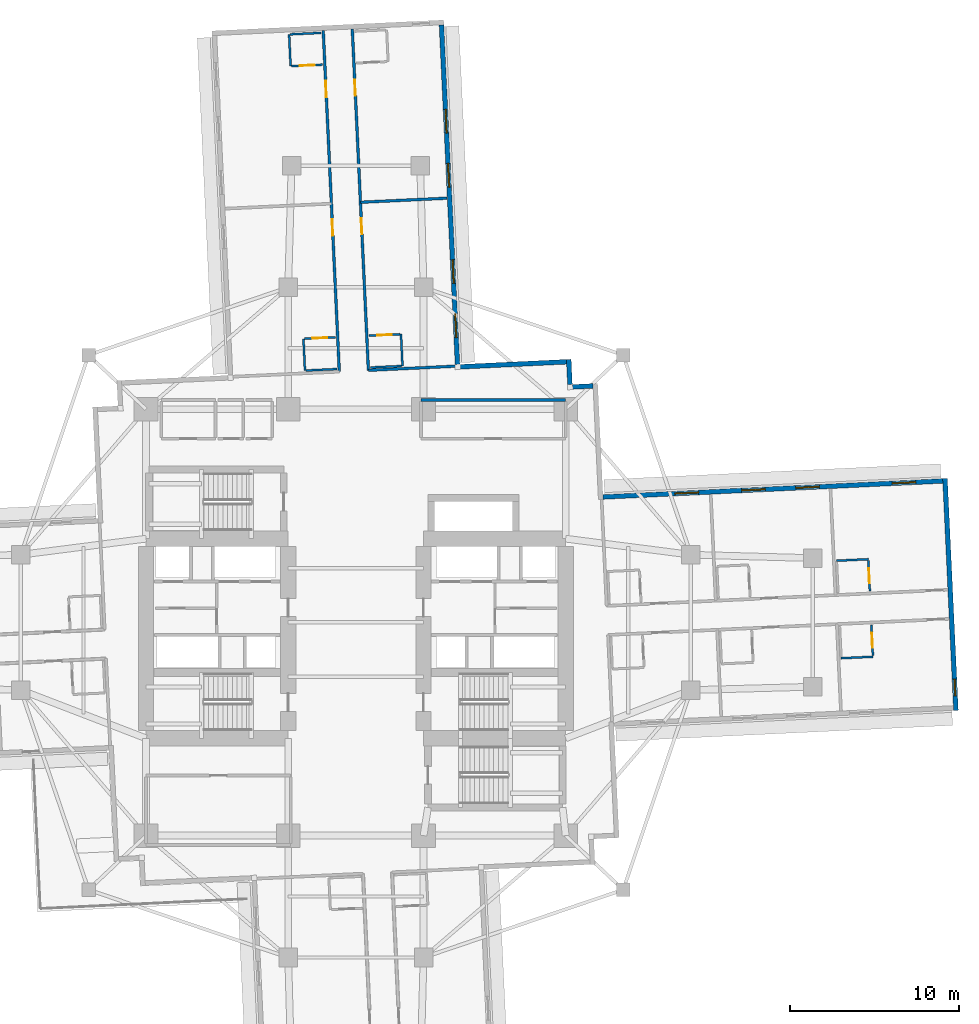
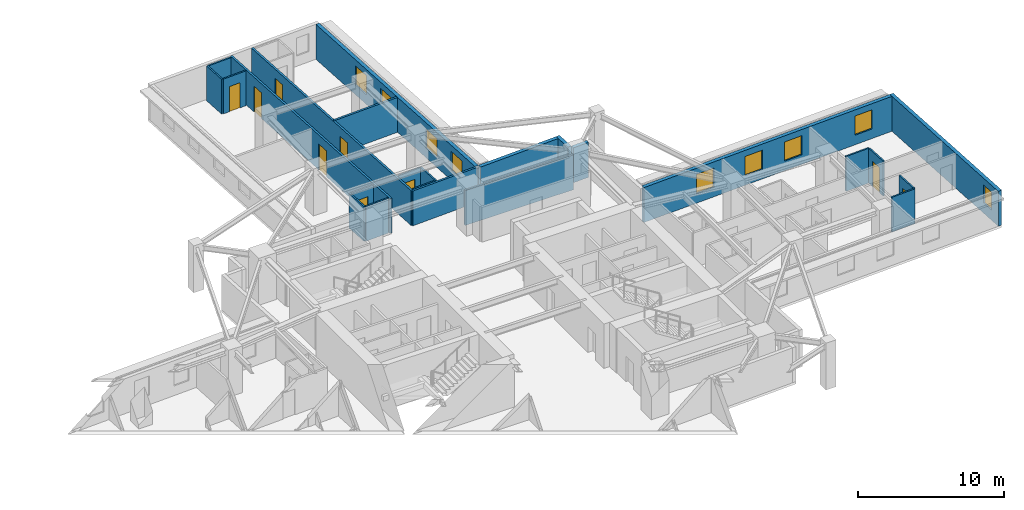
# One storey, part 8 of 14: 24 walls, 9 doors, 9 windows, 18 openings.
"""IFC4 building model written with IfcOpenShell, lengths in metres."""

from ifc_helpers import new_model, si_unit, direction, frame, frame_2d, origin, place, context, subcontext, project, spatial, rectangle, extrude, material, layer, layer_set, type_object, element, fill, save


model = new_model("IFC4")

# Units and contexts
model_context = context("Model", 3, precision=1e-05, world=origin(), true_north=direction((0.0, 1.0)))
body_context = subcontext(model_context, "Body", "Model", "MODEL_VIEW")
ifc_project = project(units=[si_unit("LENGTHUNIT", "METRE"), si_unit("AREAUNIT", "SQUARE_METRE"), si_unit("VOLUMEUNIT", "CUBIC_METRE"), si_unit("PLANEANGLEUNIT", "RADIAN"), si_unit("MASSUNIT", "GRAM", prefix="KILO")], contexts=[model_context])

# Site, building, storey
site_placement = place(None, origin())
site = spatial("IfcSite", under=ifc_project, at=site_placement, CompositionType="ELEMENT")
building_placement = place(site_placement, origin())
building = spatial("IfcBuilding", under=site, at=building_placement, Name="Qingluan Cross Belvedere", CompositionType="ELEMENT")
storey_placement = place(building_placement, frame((0.0, 0.0, 52.199951171875)))
storey = spatial("IfcBuildingStorey", under=building, at=storey_placement, Name="L13", CompositionType="ELEMENT", Elevation=52.199951171875)

# Wall
ifc_material_1 = material(Name="Gypsum plasterboard on steel stud acoustic partition", Category="steel")
ifc_layer_1 = layer(ifc_material_1, 0.159912109375, Name="CorridorPartition_160")
ifc_layer_set_1 = layer_set([ifc_layer_1], Name="Gypsum plasterboard on steel stud acoustic partition")
wall_type_1 = type_object("IfcWallType", Name="CorridorPartition_160", PredefinedType="PARTITIONING", material=ifc_layer_set_1)
wall_1_placement = place(storey_placement, frame((3.85009765625, 13.14990234375, 0.0), z_axis=(0.0, 0.0, 1.0), x_axis=(1.0, 0.0, 0.0)))
element("IfcWall", 1, at=wall_1_placement, inside=storey, type_object=wall_type_1, Name="Partition L13:q_ne:N", PredefinedType="PARTITIONING", context=body_context, shape_type="SweptSolid", body=[
    extrude(rectangle(XDim=8.5498046875, YDim=0.159912109375, at=frame_2d((4.27490234375, 0.0))), origin(), (0.0, 0.0, 1.0), 2.900146484375),
])

# Wall, openings, doors
wall_2_placement = place(storey_placement, frame((0.739013671875, 14.9013671875, 0.0), z_axis=(0.0, 0.0, 1.0), x_axis=(-0.047117991871, 0.998889330628, 0.0)))
wall_2 = element("IfcWall", 2, at=wall_2_placement, inside=storey, type_object=wall_type_1, Name="Partition L13:N:c0", PredefinedType="PARTITIONING", context=body_context, shape_type="SweptSolid", body=[
    extrude(rectangle(XDim=20.181884765625, YDim=0.159912109375, at=frame_2d((10.0908203125, 0.0))), origin(), (0.0, 0.0, 1.0), 2.900146484375),
])
opening_1_placement = place(wall_2_placement, frame((8.047119140625, 0.0, 0.0)))
opening_1 = element("IfcOpeningElement", 3, at=opening_1_placement, cuts=wall_2, Name="Opening GD-10", PredefinedType="OPENING", context=body_context, shape_type="SweptSolid", body=[
    extrude(rectangle(XDim=0.9599609375, YDim=2.14990234375, at=frame_2d((0.47998046875, 1.074951171875))), frame((0.0, 0.08984375, 0.0), z_axis=(0.0, -1.0, 0.0), x_axis=(1.0, 0.0, 0.0)), (0.0, 0.0, 1.0), 0.179931640625),
])
opening_2_placement = place(wall_2_placement, frame((16.242919921875, 0.0, 0.0)))
opening_2 = element("IfcOpeningElement", 4, at=opening_2_placement, cuts=wall_2, Name="Opening GD-10", PredefinedType="OPENING", context=body_context, shape_type="SweptSolid", body=[
    extrude(rectangle(XDim=0.9599609375, YDim=2.14990234375, at=frame_2d((0.47998046875, 1.074951171875))), frame((0.0, 0.08984375, 0.0), z_axis=(0.0, -1.0, 0.0), x_axis=(1.0, 0.0, 0.0)), (0.0, 0.0, 1.0), 0.179931640625),
])
ifc_material_2 = material(Name="Timber oak fire-rated acoustic guestroom door", Category="wood")
door_type_1 = type_object("IfcDoorType", Name="GuestEntryDoor_FD60", OperationType="NOTDEFINED", PredefinedType="DOOR", material=ifc_material_2)
door_1_placement = place(opening_1_placement, origin())
door_1 = element("IfcDoor", 5, at=door_1_placement, inside=storey, type_object=door_type_1, Name="Guest entry fire door 1313", OperationType="SINGLE_SWING_LEFT", OverallHeight=2.14990234375, OverallWidth=0.9599609375, PredefinedType="DOOR", context=body_context, shape_type="SweptSolid", body=[
    extrude(rectangle(XDim=0.9599609375, YDim=2.14990234375, at=frame_2d((0.47998046875, 1.074951171875))), frame((0.0, 0.02490234375, 0.0), z_axis=(0.0, -1.0, 0.0), x_axis=(1.0, 0.0, 0.0)), (0.0, 0.0, 1.0), 0.050048828125),
])
fill(opening_1, door_1)
door_2_placement = place(opening_2_placement, origin())
door_2 = element("IfcDoor", 6, at=door_2_placement, inside=storey, type_object=door_type_1, Name="Guest entry fire door 1314", OperationType="SINGLE_SWING_LEFT", OverallHeight=2.14990234375, OverallWidth=0.9599609375, PredefinedType="DOOR", context=body_context, shape_type="SweptSolid", body=[
    extrude(rectangle(XDim=0.9599609375, YDim=2.14990234375, at=frame_2d((0.47998046875, 1.074951171875))), frame((0.0, 0.02490234375, 0.0), z_axis=(0.0, -1.0, 0.0), x_axis=(1.0, 0.0, 0.0)), (0.0, 0.0, 1.0), 0.050048828125),
])
fill(opening_2, door_2)

# Walls
wall_3_placement = place(storey_placement, frame((0.739013671875, 14.9013671875, 0.0), z_axis=(0.0, 0.0, 1.0), x_axis=(0.998889275357, 0.047119163577, 0.0)))
element("IfcWall", 7, at=wall_3_placement, inside=storey, type_object=wall_type_1, Name="Partition L13:N:s0", PredefinedType="PARTITIONING", context=body_context, shape_type="SweptSolid", body=[
    extrude(rectangle(XDim=5.27978515625, YDim=0.159912109375, at=frame_2d((2.639892578125, 0.0))), origin(), (0.0, 0.0, 1.0), 2.900146484375),
])
wall_4_placement = place(storey_placement, frame((0.2705078125, 24.831298828125, 0.0), z_axis=(0.0, 0.0, 1.0), x_axis=(0.998890413328, 0.047095033298, 0.0)))
element("IfcWall", 8, at=wall_4_placement, inside=storey, type_object=wall_type_1, Name="Partition L13:N:d0_0", PredefinedType="PARTITIONING", context=body_context, shape_type="SweptSolid", body=[
    extrude(rectangle(XDim=5.132080078125, YDim=0.159912109375, at=frame_2d((2.56591796875, 0.0))), origin(), (0.0, 0.0, 1.0), 2.900146484375),
])

# Wall, openings, doors
wall_5_placement = place(storey_placement, frame((-0.979248046875, 14.8203125, 0.0), z_axis=(0.0, 0.0, 1.0), x_axis=(-0.047105352469, 0.998889926753, 0.0)))
wall_5 = element("IfcWall", 9, at=wall_5_placement, inside=storey, type_object=wall_type_1, Name="Partition L13:N:c1", PredefinedType="PARTITIONING", context=body_context, shape_type="SweptSolid", body=[
    extrude(rectangle(XDim=20.18212890625, YDim=0.159912109375, at=frame_2d((10.091064453125, 0.0))), origin(), (0.0, 0.0, 1.0), 2.900146484375),
])
opening_3_placement = place(wall_5_placement, frame((8.047119140625, 0.0, 0.0)))
opening_3 = element("IfcOpeningElement", 10, at=opening_3_placement, cuts=wall_5, Name="Opening GD-10", PredefinedType="OPENING", context=body_context, shape_type="SweptSolid", body=[
    extrude(rectangle(XDim=0.9599609375, YDim=2.14990234375, at=frame_2d((0.47998046875, 1.074951171875))), frame((0.0, 0.08984375, 0.0), z_axis=(0.0, -1.0, 0.0), x_axis=(1.0, 0.0, 0.0)), (0.0, 0.0, 1.0), 0.179931640625),
])
opening_4_placement = place(wall_5_placement, frame((16.242919921875, 0.0, 0.0)))
opening_4 = element("IfcOpeningElement", 11, at=opening_4_placement, cuts=wall_5, Name="Opening GD-10", PredefinedType="OPENING", context=body_context, shape_type="SweptSolid", body=[
    extrude(rectangle(XDim=0.9599609375, YDim=2.14990234375, at=frame_2d((0.47998046875, 1.074951171875))), frame((0.0, 0.08984375, 0.0), z_axis=(0.0, -1.0, 0.0), x_axis=(1.0, 0.0, 0.0)), (0.0, 0.0, 1.0), 0.179931640625),
])
door_3_placement = place(opening_3_placement, origin())
door_3 = element("IfcDoor", 12, at=door_3_placement, inside=storey, type_object=door_type_1, Name="Guest entry fire door 1315", OperationType="SINGLE_SWING_LEFT", OverallHeight=2.14990234375, OverallWidth=0.9599609375, PredefinedType="DOOR", context=body_context, shape_type="SweptSolid", body=[
    extrude(rectangle(XDim=0.9599609375, YDim=2.14990234375, at=frame_2d((0.47998046875, 1.074951171875))), frame((0.0, 0.02490234375, 0.0), z_axis=(0.0, -1.0, 0.0), x_axis=(1.0, 0.0, 0.0)), (0.0, 0.0, 1.0), 0.050048828125),
])
fill(opening_3, door_3)
door_4_placement = place(opening_4_placement, origin())
door_4 = element("IfcDoor", 13, at=door_4_placement, inside=storey, type_object=door_type_1, Name="Guest entry fire door 1316", OperationType="SINGLE_SWING_LEFT", OverallHeight=2.14990234375, OverallWidth=0.9599609375, PredefinedType="DOOR", context=body_context, shape_type="SweptSolid", body=[
    extrude(rectangle(XDim=0.9599609375, YDim=2.14990234375, at=frame_2d((0.47998046875, 1.074951171875))), frame((0.0, 0.02490234375, 0.0), z_axis=(0.0, -1.0, 0.0), x_axis=(1.0, 0.0, 0.0)), (0.0, 0.0, 1.0), 0.050048828125),
])
fill(opening_4, door_4)

# Wall, opening, door
ifc_material_3 = material(Name="Moisture-resistant gypsum board lining")
ifc_layer_2 = layer(ifc_material_3, 0.1201171875, Name="EnsuiteWetPartition_120")
ifc_layer_set_2 = layer_set([ifc_layer_2], Name="Moisture-resistant gypsum board lining")
wall_type_2 = type_object("IfcWallType", Name="EnsuiteWetPartition_120", PredefinedType="PARTITIONING", material=ifc_layer_set_2)
wall_6_placement = place(storey_placement, frame((30.37646484375, 1.85302734375, 0.0), z_axis=(0.0, 0.0, 1.0), x_axis=(-0.047087116047, 0.998890786574, 0.0)))
wall_6 = element("IfcWall", 14, at=wall_6_placement, inside=storey, type_object=wall_type_2, Name="Partition L13:E:bs0_2", PredefinedType="PARTITIONING", context=body_context, shape_type="SweptSolid", body=[
    extrude(rectangle(XDim=1.81982421875, YDim=0.1201171875, at=frame_2d((0.909912109375, 0.0))), origin(), (0.0, 0.0, 1.0), 2.900146484375),
])
opening_5_placement = place(wall_6_placement, frame((0.469970703125, 0.0, 0.0)))
opening_5 = element("IfcOpeningElement", 15, at=opening_5_placement, cuts=wall_6, Name="Opening BD-09", PredefinedType="OPENING", context=body_context, shape_type="SweptSolid", body=[
    extrude(rectangle(XDim=0.8798828125, YDim=2.10009765625, at=frame_2d((0.43994140625, 1.050048828125))), frame((0.0, 0.070068359375, 0.0), z_axis=(0.0, -1.0, 0.0), x_axis=(1.0, 0.0, 0.0)), (0.0, 0.0, 1.0), 0.14013671875),
])
ifc_material_4 = material(Name="Moisture-sealed timber en-suite door", Category="wood")
door_type_2 = type_object("IfcDoorType", Name="BathroomDoor_880", OperationType="NOTDEFINED", PredefinedType="DOOR", material=ifc_material_4)
door_5_placement = place(opening_5_placement, origin())
door_5 = element("IfcDoor", 16, at=door_5_placement, inside=storey, type_object=door_type_2, Name="Bathroom door 1303", OperationType="SINGLE_SWING_RIGHT", OverallHeight=2.10009765625, OverallWidth=0.8798828125, PredefinedType="DOOR", context=body_context, shape_type="SweptSolid", body=[
    extrude(rectangle(XDim=0.8798828125, YDim=2.10009765625, at=frame_2d((0.43994140625, 1.050048828125))), frame((0.0, 0.02490234375, 0.0), z_axis=(0.0, -1.0, 0.0), x_axis=(1.0, 0.0, 0.0)), (0.0, 0.0, 1.0), 0.050048828125),
])
fill(opening_5, door_5)

# Wall
wall_7_placement = place(storey_placement, frame((28.40966796875, 3.647216796875, 0.0), z_axis=(0.0, 0.0, 1.0), x_axis=(0.998888319371, 0.047139425368, 0.0)))
element("IfcWall", 17, at=wall_7_placement, inside=storey, type_object=wall_type_2, Name="Partition L13:E:bn0_2", PredefinedType="PARTITIONING", context=body_context, shape_type="SweptSolid", body=[
    extrude(rectangle(XDim=1.880126953125, YDim=0.1201171875, at=frame_2d((0.93994140625, 0.0))), origin(), (0.0, 0.0, 1.0), 2.900146484375),
])

# Wall, opening, door
wall_8_placement = place(storey_placement, frame((30.556396484375, -1.962890625, 0.0), z_axis=(0.0, 0.0, 1.0), x_axis=(-0.047080807099, 0.998891083954, 0.0)))
wall_8 = element("IfcWall", 18, at=wall_8_placement, inside=storey, type_object=wall_type_2, Name="Partition L13:E:bs1_2", PredefinedType="PARTITIONING", context=body_context, shape_type="SweptSolid", body=[
    extrude(rectangle(XDim=1.820068359375, YDim=0.1201171875, at=frame_2d((0.91015625, 0.0))), origin(), (0.0, 0.0, 1.0), 2.900146484375),
])
opening_6_placement = place(wall_8_placement, frame((0.469970703125, 0.0, 0.0)))
opening_6 = element("IfcOpeningElement", 19, at=opening_6_placement, cuts=wall_8, Name="Opening BD-09", PredefinedType="OPENING", context=body_context, shape_type="SweptSolid", body=[
    extrude(rectangle(XDim=0.8798828125, YDim=2.10009765625, at=frame_2d((0.43994140625, 1.050048828125))), frame((0.0, 0.070068359375, 0.0), z_axis=(0.0, -1.0, 0.0), x_axis=(1.0, 0.0, 0.0)), (0.0, 0.0, 1.0), 0.14013671875),
])
door_6_placement = place(opening_6_placement, origin())
door_6 = element("IfcDoor", 20, at=door_6_placement, inside=storey, type_object=door_type_2, Name="Bathroom door 1306", OperationType="SINGLE_SWING_RIGHT", OverallHeight=2.10009765625, OverallWidth=0.8798828125, PredefinedType="DOOR", context=body_context, shape_type="SweptSolid", body=[
    extrude(rectangle(XDim=0.8798828125, YDim=2.10009765625, at=frame_2d((0.43994140625, 1.050048828125))), frame((0.0, 0.02490234375, 0.0), z_axis=(0.0, -1.0, 0.0), x_axis=(1.0, 0.0, 0.0)), (0.0, 0.0, 1.0), 0.050048828125),
])
fill(opening_6, door_6)

# Wall
wall_9_placement = place(storey_placement, frame((28.681396484375, -2.1162109375, 0.0), z_axis=(0.0, 0.0, 1.0), x_axis=(0.998888319371, 0.047139425368, 0.0)))
element("IfcWall", 21, at=wall_9_placement, inside=storey, type_object=wall_type_2, Name="Partition L13:E:bc1_2", PredefinedType="PARTITIONING", context=body_context, shape_type="SweptSolid", body=[
    extrude(rectangle(XDim=1.880126953125, YDim=0.1201171875, at=frame_2d((0.93994140625, 0.0))), origin(), (0.0, 0.0, 1.0), 2.900146484375),
])

# Wall, opening, door
wall_10_placement = place(storey_placement, frame((0.78271484375, 16.94580078125, 0.0), z_axis=(0.0, 0.0, 1.0), x_axis=(0.998890786574, 0.047087116047, 0.0)))
wall_10 = element("IfcWall", 22, at=wall_10_placement, inside=storey, type_object=wall_type_2, Name="Partition L13:N:bs0_0", PredefinedType="PARTITIONING", context=body_context, shape_type="SweptSolid", body=[
    extrude(rectangle(XDim=1.81982421875, YDim=0.1201171875, at=frame_2d((0.909912109375, 0.0))), origin(), (0.0, 0.0, 1.0), 2.900146484375),
])
opening_7_placement = place(wall_10_placement, frame((0.469970703125, 0.0, 0.0)))
opening_7 = element("IfcOpeningElement", 23, at=opening_7_placement, cuts=wall_10, Name="Opening BD-09", PredefinedType="OPENING", context=body_context, shape_type="SweptSolid", body=[
    extrude(rectangle(XDim=0.8798828125, YDim=2.10009765625, at=frame_2d((0.43994140625, 1.050048828125))), frame((0.0, 0.070068359375, 0.0), z_axis=(0.0, -1.0, 0.0), x_axis=(1.0, 0.0, 0.0)), (0.0, 0.0, 1.0), 0.14013671875),
])
door_7_placement = place(opening_7_placement, origin())
door_7 = element("IfcDoor", 24, at=door_7_placement, inside=storey, type_object=door_type_2, Name="Bathroom door 1313", OperationType="SINGLE_SWING_RIGHT", OverallHeight=2.10009765625, OverallWidth=0.8798828125, PredefinedType="DOOR", context=body_context, shape_type="SweptSolid", body=[
    extrude(rectangle(XDim=0.8798828125, YDim=2.10009765625, at=frame_2d((0.43994140625, 1.050048828125))), frame((0.0, 0.02490234375, 0.0), z_axis=(0.0, -1.0, 0.0), x_axis=(1.0, 0.0, 0.0)), (0.0, 0.0, 1.0), 0.050048828125),
])
fill(opening_7, door_7)

# Walls
wall_11_placement = place(storey_placement, frame((0.87109375, 15.06787109375, 0.0), z_axis=(0.0, 0.0, 1.0), x_axis=(0.998891083954, 0.047080807099, 0.0)))
element("IfcWall", 25, at=wall_11_placement, inside=storey, type_object=wall_type_2, Name="Partition L13:N:bw0_0", PredefinedType="PARTITIONING", context=body_context, shape_type="SweptSolid", body=[
    extrude(rectangle(XDim=1.820068359375, YDim=0.1201171875, at=frame_2d((0.91015625, 0.0))), origin(), (0.0, 0.0, 1.0), 2.900146484375),
])
wall_12_placement = place(storey_placement, frame((2.754150390625, 15.156494140625, 0.0), z_axis=(0.0, 0.0, 1.0), x_axis=(-0.047139425368, 0.998888319371, 0.0)))
element("IfcWall", 26, at=wall_12_placement, inside=storey, type_object=wall_type_2, Name="Partition L13:N:bn0_0", PredefinedType="PARTITIONING", context=body_context, shape_type="SweptSolid", body=[
    extrude(rectangle(XDim=1.880126953125, YDim=0.1201171875, at=frame_2d((0.93994140625, 0.0))), origin(), (0.0, 0.0, 1.0), 2.900146484375),
])

# Wall, opening, door
wall_13_placement = place(storey_placement, frame((-3.033203125, 16.765625, 0.0), z_axis=(0.0, 0.0, 1.0), x_axis=(0.998884766924, 0.047214641863, 0.0)))
wall_13 = element("IfcWall", 27, at=wall_13_placement, inside=storey, type_object=wall_type_2, Name="Partition L13:N:bs1_0", PredefinedType="PARTITIONING", context=body_context, shape_type="SweptSolid", body=[
    extrude(rectangle(XDim=1.820068359375, YDim=0.1201171875, at=frame_2d((0.91015625, 0.0))), origin(), (0.0, 0.0, 1.0), 2.900146484375),
])
opening_8_placement = place(wall_13_placement, frame((0.469970703125, 0.0, 0.0)))
opening_8 = element("IfcOpeningElement", 28, at=opening_8_placement, cuts=wall_13, Name="Opening BD-09", PredefinedType="OPENING", context=body_context, shape_type="SweptSolid", body=[
    extrude(rectangle(XDim=0.8798828125, YDim=2.10009765625, at=frame_2d((0.43994140625, 1.050048828125))), frame((0.0, 0.070068359375, 0.0), z_axis=(0.0, -1.0, 0.0), x_axis=(1.0, 0.0, 0.0)), (0.0, 0.0, 1.0), 0.14013671875),
])
door_8_placement = place(opening_8_placement, origin())
door_8 = element("IfcDoor", 29, at=door_8_placement, inside=storey, type_object=door_type_2, Name="Bathroom door 1315", OperationType="SINGLE_SWING_RIGHT", OverallHeight=2.10009765625, OverallWidth=0.8798828125, PredefinedType="DOOR", context=body_context, shape_type="SweptSolid", body=[
    extrude(rectangle(XDim=0.8798828125, YDim=2.10009765625, at=frame_2d((0.43994140625, 1.050048828125))), frame((0.0, 0.02490234375, 0.0), z_axis=(0.0, -1.0, 0.0), x_axis=(1.0, 0.0, 0.0)), (0.0, 0.0, 1.0), 0.050048828125),
])
fill(opening_8, door_8)

# Walls
wall_14_placement = place(storey_placement, frame((-2.944580078125, 14.8876953125, 0.0), z_axis=(0.0, 0.0, 1.0), x_axis=(0.998884467853, 0.047220968666, 0.0)))
element("IfcWall", 30, at=wall_14_placement, inside=storey, type_object=wall_type_2, Name="Partition L13:N:bw1_0", PredefinedType="PARTITIONING", context=body_context, shape_type="SweptSolid", body=[
    extrude(rectangle(XDim=1.81982421875, YDim=0.1201171875, at=frame_2d((0.909912109375, 0.0))), origin(), (0.0, 0.0, 1.0), 2.900146484375),
])
wall_15_placement = place(storey_placement, frame((-3.009521484375, 14.884765625, 0.0), z_axis=(0.0, 0.0, 1.0), x_axis=(-0.047139425368, 0.998888319371, 0.0)))
element("IfcWall", 31, at=wall_15_placement, inside=storey, type_object=wall_type_2, Name="Partition L13:N:bc1_0", PredefinedType="PARTITIONING", context=body_context, shape_type="SweptSolid", body=[
    extrude(rectangle(XDim=1.880126953125, YDim=0.1201171875, at=frame_2d((0.93994140625, 0.0))), origin(), (0.0, 0.0, 1.0), 2.900146484375),
])

# Wall, opening, door
wall_16_placement = place(storey_placement, frame((-3.79296875, 32.877685546875, 0.0), z_axis=(0.0, 0.0, 1.0), x_axis=(0.998884467853, 0.047220968666, 0.0)))
wall_16 = element("IfcWall", 32, at=wall_16_placement, inside=storey, type_object=wall_type_2, Name="Partition L13:N:bs1_1", PredefinedType="PARTITIONING", context=body_context, shape_type="SweptSolid", body=[
    extrude(rectangle(XDim=1.81982421875, YDim=0.1201171875, at=frame_2d((0.909912109375, 0.0))), origin(), (0.0, 0.0, 1.0), 2.900146484375),
])
opening_9_placement = place(wall_16_placement, frame((0.469970703125, 0.0, 0.0)))
opening_9 = element("IfcOpeningElement", 33, at=opening_9_placement, cuts=wall_16, Name="Opening BD-09", PredefinedType="OPENING", context=body_context, shape_type="SweptSolid", body=[
    extrude(rectangle(XDim=0.8798828125, YDim=2.10009765625, at=frame_2d((0.43994140625, 1.050048828125))), frame((0.0, 0.070068359375, 0.0), z_axis=(0.0, -1.0, 0.0), x_axis=(1.0, 0.0, 0.0)), (0.0, 0.0, 1.0), 0.14013671875),
])
door_9_placement = place(opening_9_placement, origin())
door_9 = element("IfcDoor", 34, at=door_9_placement, inside=storey, type_object=door_type_2, Name="Bathroom door 1316", OperationType="SINGLE_SWING_RIGHT", OverallHeight=2.10009765625, OverallWidth=0.8798828125, PredefinedType="DOOR", context=body_context, shape_type="SweptSolid", body=[
    extrude(rectangle(XDim=0.8798828125, YDim=2.10009765625, at=frame_2d((0.43994140625, 1.050048828125))), frame((0.0, 0.02490234375, 0.0), z_axis=(0.0, -1.0, 0.0), x_axis=(1.0, 0.0, 0.0)), (0.0, 0.0, 1.0), 0.050048828125),
])
fill(opening_9, door_9)

# Walls
wall_17_placement = place(storey_placement, frame((-3.881591796875, 34.755615234375, 0.0), z_axis=(0.0, 0.0, 1.0), x_axis=(0.998884766924, 0.047214641863, 0.0)))
element("IfcWall", 35, at=wall_17_placement, inside=storey, type_object=wall_type_2, Name="Partition L13:N:bw1_1", PredefinedType="PARTITIONING", context=body_context, shape_type="SweptSolid", body=[
    extrude(rectangle(XDim=1.820068359375, YDim=0.1201171875, at=frame_2d((0.91015625, 0.0))), origin(), (0.0, 0.0, 1.0), 2.900146484375),
])
wall_18_placement = place(storey_placement, frame((-3.85791015625, 32.874755859375, 0.0), z_axis=(0.0, 0.0, 1.0), x_axis=(-0.047139425368, 0.998888319371, 0.0)))
element("IfcWall", 36, at=wall_18_placement, inside=storey, type_object=wall_type_2, Name="Partition L13:N:bc1_1", PredefinedType="PARTITIONING", context=body_context, shape_type="SweptSolid", body=[
    extrude(rectangle(XDim=1.880126953125, YDim=0.1201171875, at=frame_2d((0.93994140625, 0.0))), origin(), (0.0, 0.0, 1.0), 2.900146484375),
])

# Wall, openings, windows
ifc_material_5 = material(Name="Precast concrete C45", Category="concrete")
ifc_layer_3 = layer(ifc_material_5, 0.280029296875, Name="PrecastFacadeWall_280")
ifc_layer_set_3 = layer_set([ifc_layer_3], Name="Precast concrete C45")
wall_type_3 = type_object("IfcWallType", Name="PrecastFacadeWall_280", PredefinedType="STANDARD", material=ifc_layer_set_3)
wall_19_placement = place(storey_placement, frame((34.6845703125, 8.363037109375, 0.0), z_axis=(0.0, 0.0, 1.0), x_axis=(-0.998890015344, -0.047103473814, 0.0)))
wall_19 = element("IfcWall", 37, at=wall_19_placement, inside=storey, type_object=wall_type_3, Name="Facade wall L13-EB", PredefinedType="STANDARD", context=body_context, shape_type="SweptSolid", body=[
    extrude(rectangle(XDim=20.099853515625, YDim=0.280029296875, at=frame_2d((10.0498046875, 0.0))), origin(), (0.0, 0.0, 1.0), 2.91015625),
])
opening_10_placement = place(wall_19_placement, frame((1.60009765625, 0.0, 0.800048828125)))
opening_10 = element("IfcOpeningElement", 38, at=opening_10_placement, cuts=wall_19, Name="Opening W-01", PredefinedType="OPENING", context=body_context, shape_type="SweptSolid", body=[
    extrude(rectangle(XDim=1.39990234375, YDim=1.60009765625, at=frame_2d((0.699951171875, 0.800048828125))), frame((0.0, 0.14990234375, 0.0), z_axis=(0.0, -1.0, 0.0), x_axis=(1.0, 0.0, 0.0)), (0.0, 0.0, 1.0), 0.300048828125),
])
opening_11_placement = place(wall_19_placement, frame((7.300048828125, 0.0, 0.800048828125)))
opening_11 = element("IfcOpeningElement", 39, at=opening_11_placement, cuts=wall_19, Name="Opening W-01", PredefinedType="OPENING", context=body_context, shape_type="SweptSolid", body=[
    extrude(rectangle(XDim=1.39990234375, YDim=1.60009765625, at=frame_2d((0.699951171875, 0.800048828125))), frame((0.0, 0.14990234375, 0.0), z_axis=(0.0, -1.0, 0.0), x_axis=(1.0, 0.0, 0.0)), (0.0, 0.0, 1.0), 0.300048828125),
])
opening_12_placement = place(wall_19_placement, frame((10.5, 0.0, 0.800048828125)))
opening_12 = element("IfcOpeningElement", 40, at=opening_12_placement, cuts=wall_19, Name="Opening W-01", PredefinedType="OPENING", context=body_context, shape_type="SweptSolid", body=[
    extrude(rectangle(XDim=1.39990234375, YDim=1.60009765625, at=frame_2d((0.699951171875, 0.800048828125))), frame((0.0, 0.14990234375, 0.0), z_axis=(0.0, -1.0, 0.0), x_axis=(1.0, 0.0, 0.0)), (0.0, 0.0, 1.0), 0.300048828125),
])
opening_13_placement = place(wall_19_placement, frame((14.449951171875, 0.0, 0.800048828125)))
opening_13 = element("IfcOpeningElement", 41, at=opening_13_placement, cuts=wall_19, Name="Opening W-01", PredefinedType="OPENING", context=body_context, shape_type="SweptSolid", body=[
    extrude(rectangle(XDim=1.39990234375, YDim=1.60009765625, at=frame_2d((0.699951171875, 0.800048828125))), frame((0.0, 0.14990234375, 0.0), z_axis=(0.0, -1.0, 0.0), x_axis=(1.0, 0.0, 0.0)), (0.0, 0.0, 1.0), 0.300048828125),
])
ifc_material_6 = material(Name="Thermally broken triple Low-E glass in aluminium frame", Category="aluminium")
window_type_1 = type_object("IfcWindowType", Name="TriRibbonWin_1400x1600", PartitioningType="SINGLE_PANEL", PredefinedType="WINDOW", material=ifc_material_6)
window_1_placement = place(opening_10_placement, origin())
window_1 = element("IfcWindow", 42, at=window_1_placement, inside=storey, type_object=window_type_1, Name="Ribbon window L13-EB-1", OverallHeight=1.60009765625, OverallWidth=1.39990234375, PartitioningType="SINGLE_PANEL", PredefinedType="WINDOW", context=body_context, shape_type="SweptSolid", body=[
    extrude(rectangle(XDim=1.39990234375, YDim=1.60009765625, at=frame_2d((0.699951171875, 0.800048828125))), frame((0.0, 0.030029296875, 0.0), z_axis=(0.0, -1.0, 0.0), x_axis=(1.0, 0.0, 0.0)), (0.0, 0.0, 1.0), 0.06005859375),
])
fill(opening_10, window_1)
window_2_placement = place(opening_11_placement, origin())
window_2 = element("IfcWindow", 43, at=window_2_placement, inside=storey, type_object=window_type_1, Name="Ribbon window L13-EB-2", OverallHeight=1.60009765625, OverallWidth=1.39990234375, PartitioningType="SINGLE_PANEL", PredefinedType="WINDOW", context=body_context, shape_type="SweptSolid", body=[
    extrude(rectangle(XDim=1.39990234375, YDim=1.60009765625, at=frame_2d((0.699951171875, 0.800048828125))), frame((0.0, 0.030029296875, 0.0), z_axis=(0.0, -1.0, 0.0), x_axis=(1.0, 0.0, 0.0)), (0.0, 0.0, 1.0), 0.06005859375),
])
fill(opening_11, window_2)
window_3_placement = place(opening_12_placement, origin())
window_3 = element("IfcWindow", 44, at=window_3_placement, inside=storey, type_object=window_type_1, Name="Ribbon window L13-EB-3", OverallHeight=1.60009765625, OverallWidth=1.39990234375, PartitioningType="SINGLE_PANEL", PredefinedType="WINDOW", context=body_context, shape_type="SweptSolid", body=[
    extrude(rectangle(XDim=1.39990234375, YDim=1.60009765625, at=frame_2d((0.699951171875, 0.800048828125))), frame((0.0, 0.030029296875, 0.0), z_axis=(0.0, -1.0, 0.0), x_axis=(1.0, 0.0, 0.0)), (0.0, 0.0, 1.0), 0.06005859375),
])
fill(opening_12, window_3)
window_4_placement = place(opening_13_placement, origin())
window_4 = element("IfcWindow", 45, at=window_4_placement, inside=storey, type_object=window_type_1, Name="Ribbon window L13-EB-4", OverallHeight=1.60009765625, OverallWidth=1.39990234375, PartitioningType="SINGLE_PANEL", PredefinedType="WINDOW", context=body_context, shape_type="SweptSolid", body=[
    extrude(rectangle(XDim=1.39990234375, YDim=1.60009765625, at=frame_2d((0.699951171875, 0.800048828125))), frame((0.0, 0.030029296875, 0.0), z_axis=(0.0, -1.0, 0.0), x_axis=(1.0, 0.0, 0.0)), (0.0, 0.0, 1.0), 0.06005859375),
])
fill(opening_13, window_4)

# Wall, opening, window
wall_20_placement = place(storey_placement, frame((35.464111328125, -5.1953125, 0.0), z_axis=(0.0, 0.0, 1.0), x_axis=(-0.047101845086, 0.998890092147, 0.0)))
wall_20 = element("IfcWall", 46, at=wall_20_placement, inside=storey, type_object=wall_type_3, Name="Arm tip precast facade wall L13-E", PredefinedType="STANDARD", context=body_context, shape_type="SweptSolid", body=[
    extrude(rectangle(XDim=13.719970703125, YDim=0.280029296875, at=frame_2d((6.85986328125, 0.0))), origin(), (0.0, 0.0, 1.0), 2.91015625),
])
opening_14_placement = place(wall_20_placement, frame((0.85009765625, 0.0, 0.85009765625)))
opening_14 = element("IfcOpeningElement", 47, at=opening_14_placement, cuts=wall_20, Name="Opening W-03", PredefinedType="OPENING", context=body_context, shape_type="SweptSolid", body=[
    extrude(rectangle(XDim=1.0, YDim=1.5, at=frame_2d((0.5, 0.75))), frame((0.0, 0.14990234375, 0.0), z_axis=(0.0, -1.0, 0.0), x_axis=(1.0, 0.0, 0.0)), (0.0, 0.0, 1.0), 0.300048828125),
])
ifc_material_7 = material(Name="Thermally broken triple Low-E glass in aluminium frame", Category="aluminium")
window_type_2 = type_object("IfcWindowType", Name="TriApexWin_1000x1500", PartitioningType="SINGLE_PANEL", PredefinedType="WINDOW", material=ifc_material_7)
window_5_placement = place(opening_14_placement, origin())
window_5 = element("IfcWindow", 48, at=window_5_placement, inside=storey, type_object=window_type_2, Name="Arm tip triangular window L13-E", OverallHeight=1.5, OverallWidth=1.0, PartitioningType="SINGLE_PANEL", PredefinedType="WINDOW", context=body_context, shape_type="SweptSolid", body=[
    extrude(rectangle(XDim=1.0, YDim=1.5, at=frame_2d((0.5, 0.75))), frame((0.0, 0.030029296875, 0.0), z_axis=(0.0, -1.0, 0.0), x_axis=(1.0, 0.0, 0.0)), (0.0, 0.0, 1.0), 0.06005859375),
])
fill(opening_14, window_5)

# Wall, openings, windows
wall_21_placement = place(storey_placement, frame((6.0087890625, 15.239990234375, 0.0), z_axis=(0.0, 0.0, 1.0), x_axis=(-0.047103473814, 0.998890015344, 0.0)))
wall_21 = element("IfcWall", 49, at=wall_21_placement, inside=storey, type_object=wall_type_3, Name="Facade wall L13-NA", PredefinedType="STANDARD", context=body_context, shape_type="SweptSolid", body=[
    extrude(rectangle(XDim=20.099853515625, YDim=0.280029296875, at=frame_2d((10.0498046875, 0.0))), origin(), (0.0, 0.0, 1.0), 2.91015625),
])
opening_15_placement = place(wall_21_placement, frame((1.60009765625, 0.0, 0.800048828125)))
opening_15 = element("IfcOpeningElement", 50, at=opening_15_placement, cuts=wall_21, Name="Opening W-01", PredefinedType="OPENING", context=body_context, shape_type="SweptSolid", body=[
    extrude(rectangle(XDim=1.39990234375, YDim=1.60009765625, at=frame_2d((0.699951171875, 0.800048828125))), frame((0.0, 0.14990234375, 0.0), z_axis=(0.0, -1.0, 0.0), x_axis=(1.0, 0.0, 0.0)), (0.0, 0.0, 1.0), 0.300048828125),
])
opening_16_placement = place(wall_21_placement, frame((4.800048828125, 0.0, 0.800048828125)))
opening_16 = element("IfcOpeningElement", 51, at=opening_16_placement, cuts=wall_21, Name="Opening W-01", PredefinedType="OPENING", context=body_context, shape_type="SweptSolid", body=[
    extrude(rectangle(XDim=1.39990234375, YDim=1.60009765625, at=frame_2d((0.699951171875, 0.800048828125))), frame((0.0, 0.14990234375, 0.0), z_axis=(0.0, -1.0, 0.0), x_axis=(1.0, 0.0, 0.0)), (0.0, 0.0, 1.0), 0.300048828125),
])
opening_17_placement = place(wall_21_placement, frame((10.5, 0.0, 0.800048828125)))
opening_17 = element("IfcOpeningElement", 52, at=opening_17_placement, cuts=wall_21, Name="Opening W-01", PredefinedType="OPENING", context=body_context, shape_type="SweptSolid", body=[
    extrude(rectangle(XDim=1.39990234375, YDim=1.60009765625, at=frame_2d((0.699951171875, 0.800048828125))), frame((0.0, 0.14990234375, 0.0), z_axis=(0.0, -1.0, 0.0), x_axis=(1.0, 0.0, 0.0)), (0.0, 0.0, 1.0), 0.300048828125),
])
opening_18_placement = place(wall_21_placement, frame((13.699951171875, 0.0, 0.800048828125)))
opening_18 = element("IfcOpeningElement", 53, at=opening_18_placement, cuts=wall_21, Name="Opening W-01", PredefinedType="OPENING", context=body_context, shape_type="SweptSolid", body=[
    extrude(rectangle(XDim=1.39990234375, YDim=1.60009765625, at=frame_2d((0.699951171875, 0.800048828125))), frame((0.0, 0.14990234375, 0.0), z_axis=(0.0, -1.0, 0.0), x_axis=(1.0, 0.0, 0.0)), (0.0, 0.0, 1.0), 0.300048828125),
])
window_6_placement = place(opening_15_placement, origin())
window_6 = element("IfcWindow", 54, at=window_6_placement, inside=storey, type_object=window_type_1, Name="Ribbon window L13-NA-1", OverallHeight=1.60009765625, OverallWidth=1.39990234375, PartitioningType="SINGLE_PANEL", PredefinedType="WINDOW", context=body_context, shape_type="SweptSolid", body=[
    extrude(rectangle(XDim=1.39990234375, YDim=1.60009765625, at=frame_2d((0.699951171875, 0.800048828125))), frame((0.0, 0.030029296875, 0.0), z_axis=(0.0, -1.0, 0.0), x_axis=(1.0, 0.0, 0.0)), (0.0, 0.0, 1.0), 0.06005859375),
])
fill(opening_15, window_6)
window_7_placement = place(opening_16_placement, origin())
window_7 = element("IfcWindow", 55, at=window_7_placement, inside=storey, type_object=window_type_1, Name="Ribbon window L13-NA-2", OverallHeight=1.60009765625, OverallWidth=1.39990234375, PartitioningType="SINGLE_PANEL", PredefinedType="WINDOW", context=body_context, shape_type="SweptSolid", body=[
    extrude(rectangle(XDim=1.39990234375, YDim=1.60009765625, at=frame_2d((0.699951171875, 0.800048828125))), frame((0.0, 0.030029296875, 0.0), z_axis=(0.0, -1.0, 0.0), x_axis=(1.0, 0.0, 0.0)), (0.0, 0.0, 1.0), 0.06005859375),
])
fill(opening_16, window_7)
window_8_placement = place(opening_17_placement, origin())
window_8 = element("IfcWindow", 56, at=window_8_placement, inside=storey, type_object=window_type_1, Name="Ribbon window L13-NA-3", OverallHeight=1.60009765625, OverallWidth=1.39990234375, PartitioningType="SINGLE_PANEL", PredefinedType="WINDOW", context=body_context, shape_type="SweptSolid", body=[
    extrude(rectangle(XDim=1.39990234375, YDim=1.60009765625, at=frame_2d((0.699951171875, 0.800048828125))), frame((0.0, 0.030029296875, 0.0), z_axis=(0.0, -1.0, 0.0), x_axis=(1.0, 0.0, 0.0)), (0.0, 0.0, 1.0), 0.06005859375),
])
fill(opening_17, window_8)
window_9_placement = place(opening_18_placement, origin())
window_9 = element("IfcWindow", 57, at=window_9_placement, inside=storey, type_object=window_type_1, Name="Ribbon window L13-NA-4", OverallHeight=1.60009765625, OverallWidth=1.39990234375, PartitioningType="SINGLE_PANEL", PredefinedType="WINDOW", context=body_context, shape_type="SweptSolid", body=[
    extrude(rectangle(XDim=1.39990234375, YDim=1.60009765625, at=frame_2d((0.699951171875, 0.800048828125))), frame((0.0, 0.030029296875, 0.0), z_axis=(0.0, -1.0, 0.0), x_axis=(1.0, 0.0, 0.0)), (0.0, 0.0, 1.0), 0.06005859375),
])
fill(opening_18, window_9)

# Walls
wall_22_placement = place(storey_placement, frame((14.01708984375, 13.975830078125, 0.0), z_axis=(0.0, 0.0, 1.0), x_axis=(-0.998883930236, -0.047232339719, 0.0)))
element("IfcWall", 58, at=wall_22_placement, inside=storey, type_object=wall_type_3, Name="Corner wall L13-NE2", PredefinedType="STANDARD", context=body_context, shape_type="SweptSolid", body=[
    extrude(rectangle(XDim=1.219970703125, YDim=0.280029296875, at=frame_2d((0.60986328125, 0.0))), origin(), (0.0, 0.0, 1.0), 2.91015625),
])
wall_23_placement = place(storey_placement, frame((12.652099609375, 14.051513671875, 0.0), z_axis=(0.0, 0.0, 1.0), x_axis=(-0.047039284441, 0.99889304018, 0.0)))
element("IfcWall", 59, at=wall_23_placement, inside=storey, type_object=wall_type_3, Name="Corner wall L13-NE3", PredefinedType="STANDARD", context=body_context, shape_type="SweptSolid", body=[
    extrude(rectangle(XDim=1.5, YDim=0.280029296875, at=frame_2d((0.75, 0.0))), origin(), (0.0, 0.0, 1.0), 2.91015625),
])
wall_24_placement = place(storey_placement, frame((12.4482421875, 15.403564453125, 0.0), z_axis=(0.0, 0.0, 1.0), x_axis=(-0.998889082162, -0.047123258997, 0.0)))
element("IfcWall", 60, at=wall_24_placement, inside=storey, type_object=wall_type_3, Name="Corner wall L13-NE4", PredefinedType="STANDARD", context=body_context, shape_type="SweptSolid", body=[
    extrude(rectangle(XDim=6.300048828125, YDim=0.280029296875, at=frame_2d((3.14990234375, 0.0))), origin(), (0.0, 0.0, 1.0), 2.91015625),
])

save(model, "model.ifc")
